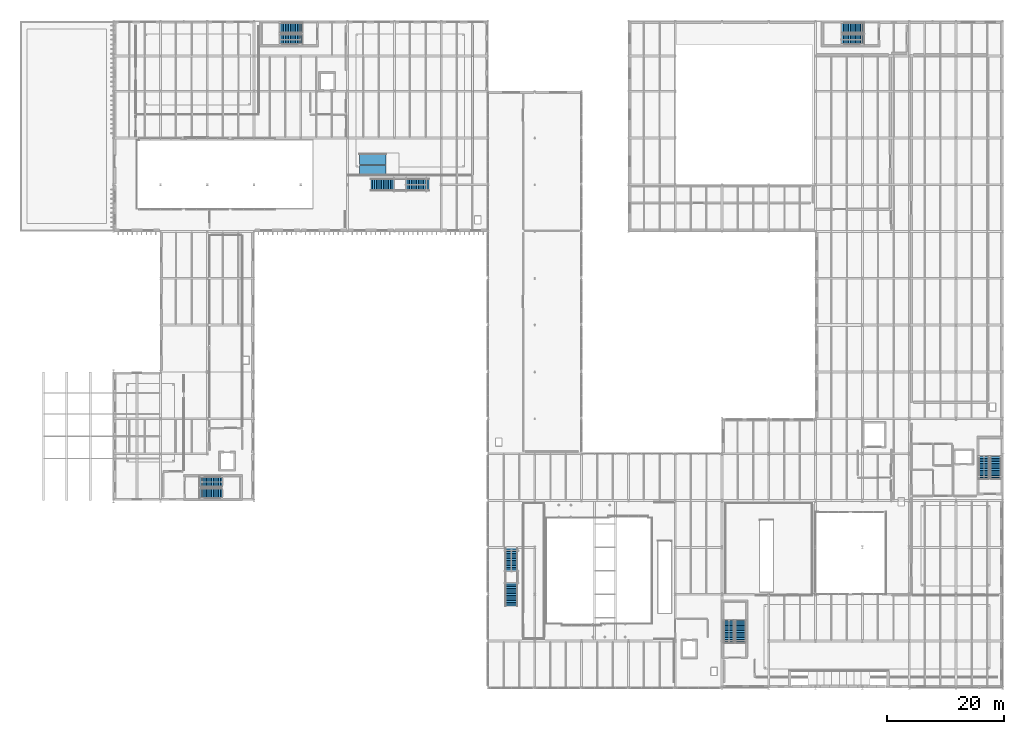
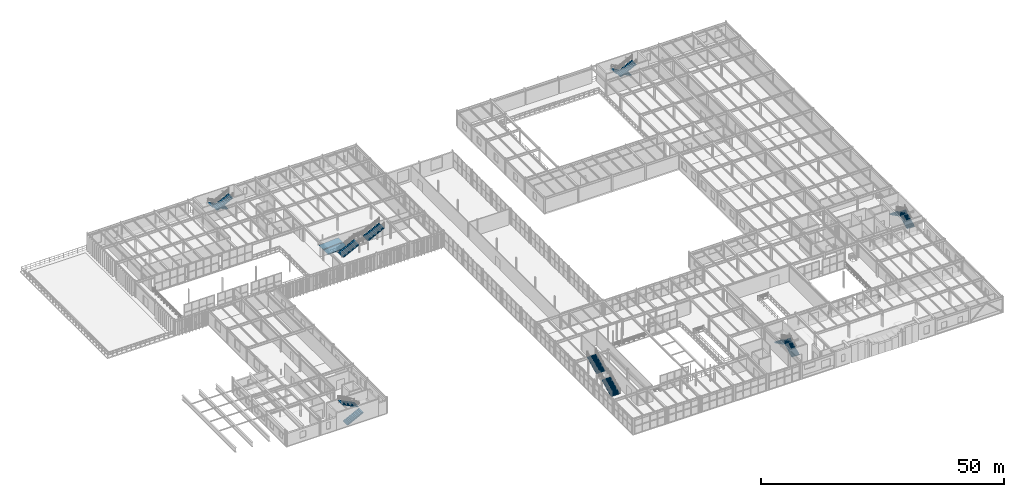
# One storey, part 92 of 122: 14 stair flights, 2 ramp flights, 8 elements without a shape of their own.
"""IFC4 building model written with IfcOpenShell, lengths in metres."""

from ifc_helpers import new_model, si_unit, direction, frame, origin, place, context, subcontext, project, spatial, polyline, outline, extrude, material, layer, layer_set, type_object, element, aggregate, save


model = new_model("IFC4")

# Units and contexts
model_context = context("Model", 3, precision=1e-05, world=origin(), true_north=direction((0.0, 1.0)))
body_context = subcontext(model_context, "Body", "Model", "MODEL_VIEW")
ifc_project = project(units=[si_unit("LENGTHUNIT", "METRE"), si_unit("AREAUNIT", "SQUARE_METRE"), si_unit("VOLUMEUNIT", "CUBIC_METRE"), si_unit("PLANEANGLEUNIT", "RADIAN"), si_unit("MASSUNIT", "GRAM", prefix="KILO")], contexts=[model_context])

# Site, building, storey
site_placement = place(None, origin())
site = spatial("IfcSite", under=ifc_project, at=site_placement, CompositionType="ELEMENT")
building_placement = place(site_placement, origin())
building = spatial("IfcBuilding", under=site, at=building_placement, Name="Sundkrona Museum", CompositionType="ELEMENT")
storey_placement = place(building_placement, frame((0.0, 0.0, 5.39990234375)))
storey = spatial("IfcBuildingStorey", under=building, at=storey_placement, Name="L01", CompositionType="ELEMENT", Elevation=5.39990234375)

# Stair, stair flights
ifc_material_1 = material(Name="Concrete C35/45", Category="concrete")
stair_type_1 = type_object("IfcStairType", Name="ST-DL-420", PredefinedType="HALF_TURN_STAIR", material=ifc_material_1)
stair_1_placement = place(storey_placement, origin())
stair_1 = element("IfcStair", 1, at=stair_1_placement, inside=storey, type_object=stair_type_1, Name="L01 Protected Stair Core ST-1", PredefinedType="HALF_TURN_STAIR")
stair_flight_type_1 = type_object("IfcStairFlightType", Name="SF-180-210", PredefinedType="STRAIGHT", material=ifc_material_1)
stair_flight_1_placement = place(storey_placement, frame((166.800048828125, 35.699951171875, 0.0), z_axis=(0.0, 0.0, 1.0), x_axis=(0.0, 1.0, 0.0)))
stair_flight_1 = element("IfcStairFlight", 2, at=stair_flight_1_placement, type_object=stair_flight_type_1, Name="L01 Protected Stair Core ST-1 Flight 1", NumberOfRisers=14, NumberOfTreads=13, PredefinedType="STRAIGHT", RiserHeight=0.15, TreadLength=0.295, context=body_context, shape_type="SweptSolid", body=[
    extrude(outline(polyline([(0.0, 0.0), (0.0, 0.14990234375), (0.294921875, 0.14990234375), (0.294921875, 0.300048828125), (0.590087890625, 0.300048828125), (0.590087890625, 0.449951171875), (0.885009765625, 0.449951171875), (0.885009765625, 0.60009765625), (1.179931640625, 0.60009765625), (1.179931640625, 0.75), (1.47509765625, 0.75), (1.47509765625, 0.89990234375), (1.77001953125, 0.89990234375), (1.77001953125, 1.050048828125), (2.06494140625, 1.050048828125), (2.06494140625, 1.199951171875), (2.360107421875, 1.199951171875), (2.360107421875, 1.35009765625), (2.655029296875, 1.35009765625), (2.655029296875, 1.5), (2.949951171875, 1.5), (2.949951171875, 1.64990234375), (3.2451171875, 1.64990234375), (3.2451171875, 1.800048828125), (3.5400390625, 1.800048828125), (3.5400390625, 1.949951171875), (3.8349609375, 1.949951171875), (3.8349609375, 2.10009765625), (3.8349609375, 1.7705078125), (0.352783203125, 0.0), (0.0, 0.0)])), frame((0.0, 0.89990234375, 0.0), z_axis=(0.0, -1.0, 0.0), x_axis=(1.0, 0.0, 0.0)), (0.0, 0.0, 1.0), 1.800048828125),
])
stair_flight_2_placement = place(storey_placement, frame((164.800048828125, 39.534912109375, 2.10009765625), z_axis=(0.0, 0.0, 1.0), x_axis=(0.0, -1.0, 0.0)))
stair_flight_2 = element("IfcStairFlight", 3, at=stair_flight_2_placement, type_object=stair_flight_type_1, Name="L01 Protected Stair Core ST-1 Flight 2", NumberOfRisers=14, NumberOfTreads=13, PredefinedType="STRAIGHT", RiserHeight=0.15, TreadLength=0.295, context=body_context, shape_type="SweptSolid", body=[
    extrude(outline(polyline([(0.0, 0.0), (0.0, 0.14990234375), (0.294921875, 0.14990234375), (0.294921875, 0.300048828125), (0.590087890625, 0.300048828125), (0.590087890625, 0.449951171875), (0.885009765625, 0.449951171875), (0.885009765625, 0.60009765625), (1.179931640625, 0.60009765625), (1.179931640625, 0.75), (1.47509765625, 0.75), (1.47509765625, 0.89990234375), (1.77001953125, 0.89990234375), (1.77001953125, 1.050048828125), (2.06494140625, 1.050048828125), (2.06494140625, 1.199951171875), (2.360107421875, 1.199951171875), (2.360107421875, 1.35009765625), (2.655029296875, 1.35009765625), (2.655029296875, 1.5), (2.949951171875, 1.5), (2.949951171875, 1.64990234375), (3.2451171875, 1.64990234375), (3.2451171875, 1.800048828125), (3.5400390625, 1.800048828125), (3.5400390625, 1.949951171875), (3.8349609375, 1.949951171875), (3.8349609375, 2.10009765625), (3.8349609375, 1.7705078125), (0.352783203125, 0.0), (0.0, 0.0)])), frame((0.0, 0.89990234375, 0.0), z_axis=(0.0, -1.0, 0.0), x_axis=(1.0, 0.0, 0.0)), (0.0, 0.0, 1.0), 1.800048828125),
])
aggregate(stair_1, [stair_flight_1, stair_flight_2])

stair_2_placement = place(storey_placement, origin())
stair_2 = element("IfcStair", 4, at=stair_2_placement, inside=storey, type_object=stair_type_1, Name="L01 Protected Stair Core ST-2", PredefinedType="HALF_TURN_STAIR")
stair_flight_3_placement = place(storey_placement, frame((123.199951171875, 7.699951171875, 0.0), z_axis=(0.0, 0.0, 1.0), x_axis=(0.0, 1.0, 0.0)))
stair_flight_3 = element("IfcStairFlight", 5, at=stair_flight_3_placement, type_object=stair_flight_type_1, Name="L01 Protected Stair Core ST-2 Flight 1", NumberOfRisers=14, NumberOfTreads=13, PredefinedType="STRAIGHT", RiserHeight=0.15, TreadLength=0.295, context=body_context, shape_type="SweptSolid", body=[
    extrude(outline(polyline([(0.0, 0.0), (0.0, 0.14990234375), (0.294921875, 0.14990234375), (0.294921875, 0.300048828125), (0.590087890625, 0.300048828125), (0.590087890625, 0.449951171875), (0.885009765625, 0.449951171875), (0.885009765625, 0.60009765625), (1.179931640625, 0.60009765625), (1.179931640625, 0.75), (1.47509765625, 0.75), (1.47509765625, 0.89990234375), (1.77001953125, 0.89990234375), (1.77001953125, 1.050048828125), (2.06494140625, 1.050048828125), (2.06494140625, 1.199951171875), (2.360107421875, 1.199951171875), (2.360107421875, 1.35009765625), (2.655029296875, 1.35009765625), (2.655029296875, 1.5), (2.949951171875, 1.5), (2.949951171875, 1.64990234375), (3.2451171875, 1.64990234375), (3.2451171875, 1.800048828125), (3.5400390625, 1.800048828125), (3.5400390625, 1.949951171875), (3.8349609375, 1.949951171875), (3.8349609375, 2.10009765625), (3.8349609375, 1.7705078125), (0.352783203125, 0.0), (0.0, 0.0)])), frame((0.0, 0.89990234375, 0.0), z_axis=(0.0, -1.0, 0.0), x_axis=(1.0, 0.0, 0.0)), (0.0, 0.0, 1.0), 1.800048828125),
])
stair_flight_4_placement = place(storey_placement, frame((121.199951171875, 11.534912109375, 2.10009765625), z_axis=(0.0, 0.0, 1.0), x_axis=(0.0, -1.0, 0.0)))
stair_flight_4 = element("IfcStairFlight", 6, at=stair_flight_4_placement, type_object=stair_flight_type_1, Name="L01 Protected Stair Core ST-2 Flight 2", NumberOfRisers=14, NumberOfTreads=13, PredefinedType="STRAIGHT", RiserHeight=0.15, TreadLength=0.295, context=body_context, shape_type="SweptSolid", body=[
    extrude(outline(polyline([(0.0, 0.0), (0.0, 0.14990234375), (0.294921875, 0.14990234375), (0.294921875, 0.300048828125), (0.590087890625, 0.300048828125), (0.590087890625, 0.449951171875), (0.885009765625, 0.449951171875), (0.885009765625, 0.60009765625), (1.179931640625, 0.60009765625), (1.179931640625, 0.75), (1.47509765625, 0.75), (1.47509765625, 0.89990234375), (1.77001953125, 0.89990234375), (1.77001953125, 1.050048828125), (2.06494140625, 1.050048828125), (2.06494140625, 1.199951171875), (2.360107421875, 1.199951171875), (2.360107421875, 1.35009765625), (2.655029296875, 1.35009765625), (2.655029296875, 1.5), (2.949951171875, 1.5), (2.949951171875, 1.64990234375), (3.2451171875, 1.64990234375), (3.2451171875, 1.800048828125), (3.5400390625, 1.800048828125), (3.5400390625, 1.949951171875), (3.8349609375, 1.949951171875), (3.8349609375, 2.10009765625), (3.8349609375, 1.7705078125), (0.352783203125, 0.0), (0.0, 0.0)])), frame((0.0, 0.89990234375, 0.0), z_axis=(0.0, -1.0, 0.0), x_axis=(1.0, 0.0, 0.0)), (0.0, 0.0, 1.0), 1.800048828125),
])
aggregate(stair_2, [stair_flight_3, stair_flight_4])

stair_3_placement = place(storey_placement, origin())
stair_3 = element("IfcStair", 7, at=stair_3_placement, inside=storey, type_object=stair_type_1, Name="L01 Protected Stair Core ST-3", PredefinedType="HALF_TURN_STAIR")
stair_flight_5_placement = place(storey_placement, frame((48.300048828125, 112.800048828125, 0.0), z_axis=(0.0, 0.0, 1.0), x_axis=(-1.0, 0.0, 0.0)))
stair_flight_5 = element("IfcStairFlight", 8, at=stair_flight_5_placement, type_object=stair_flight_type_1, Name="L01 Protected Stair Core ST-3 Flight 1", NumberOfRisers=14, NumberOfTreads=13, PredefinedType="STRAIGHT", RiserHeight=0.15, TreadLength=0.295, context=body_context, shape_type="SweptSolid", body=[
    extrude(outline(polyline([(0.0, 0.0), (0.0, 0.14990234375), (0.294921875, 0.14990234375), (0.294921875, 0.300048828125), (0.590087890625, 0.300048828125), (0.590087890625, 0.449951171875), (0.885009765625, 0.449951171875), (0.885009765625, 0.60009765625), (1.179931640625, 0.60009765625), (1.179931640625, 0.75), (1.47509765625, 0.75), (1.47509765625, 0.89990234375), (1.77001953125, 0.89990234375), (1.77001953125, 1.050048828125), (2.06494140625, 1.050048828125), (2.06494140625, 1.199951171875), (2.360107421875, 1.199951171875), (2.360107421875, 1.35009765625), (2.655029296875, 1.35009765625), (2.655029296875, 1.5), (2.949951171875, 1.5), (2.949951171875, 1.64990234375), (3.2451171875, 1.64990234375), (3.2451171875, 1.800048828125), (3.5400390625, 1.800048828125), (3.5400390625, 1.949951171875), (3.8349609375, 1.949951171875), (3.8349609375, 2.10009765625), (3.8349609375, 1.7705078125), (0.352783203125, 0.0), (0.0, 0.0)])), frame((0.0, 0.89990234375, 0.0), z_axis=(0.0, -1.0, 0.0), x_axis=(1.0, 0.0, 0.0)), (0.0, 0.0, 1.0), 1.800048828125),
])
stair_flight_6_placement = place(storey_placement, frame((44.465087890625, 110.800048828125, 2.10009765625), z_axis=(0.0, 0.0, 1.0), x_axis=(1.0, 0.0, 0.0)))
stair_flight_6 = element("IfcStairFlight", 9, at=stair_flight_6_placement, type_object=stair_flight_type_1, Name="L01 Protected Stair Core ST-3 Flight 2", NumberOfRisers=14, NumberOfTreads=13, PredefinedType="STRAIGHT", RiserHeight=0.15, TreadLength=0.295, context=body_context, shape_type="SweptSolid", body=[
    extrude(outline(polyline([(0.0, 0.0), (0.0, 0.14990234375), (0.294921875, 0.14990234375), (0.294921875, 0.300048828125), (0.590087890625, 0.300048828125), (0.590087890625, 0.449951171875), (0.885009765625, 0.449951171875), (0.885009765625, 0.60009765625), (1.179931640625, 0.60009765625), (1.179931640625, 0.75), (1.47509765625, 0.75), (1.47509765625, 0.89990234375), (1.77001953125, 0.89990234375), (1.77001953125, 1.050048828125), (2.06494140625, 1.050048828125), (2.06494140625, 1.199951171875), (2.360107421875, 1.199951171875), (2.360107421875, 1.35009765625), (2.655029296875, 1.35009765625), (2.655029296875, 1.5), (2.949951171875, 1.5), (2.949951171875, 1.64990234375), (3.2451171875, 1.64990234375), (3.2451171875, 1.800048828125), (3.5400390625, 1.800048828125), (3.5400390625, 1.949951171875), (3.8349609375, 1.949951171875), (3.8349609375, 2.10009765625), (3.8349609375, 1.7705078125), (0.352783203125, 0.0), (0.0, 0.0)])), frame((0.0, 0.89990234375, 0.0), z_axis=(0.0, -1.0, 0.0), x_axis=(1.0, 0.0, 0.0)), (0.0, 0.0, 1.0), 1.800048828125),
])
aggregate(stair_3, [stair_flight_5, stair_flight_6])

stair_4_placement = place(storey_placement, origin())
stair_4 = element("IfcStair", 10, at=stair_4_placement, inside=storey, type_object=stair_type_1, Name="L01 Protected Stair Core ST-4", PredefinedType="HALF_TURN_STAIR")
stair_flight_7_placement = place(storey_placement, frame((30.699951171875, 33.199951171875, 0.0), z_axis=(0.0, 0.0, 1.0), x_axis=(1.0, 0.0, 0.0)))
stair_flight_7 = element("IfcStairFlight", 11, at=stair_flight_7_placement, type_object=stair_flight_type_1, Name="L01 Protected Stair Core ST-4 Flight 1", NumberOfRisers=14, NumberOfTreads=13, PredefinedType="STRAIGHT", RiserHeight=0.15, TreadLength=0.295, context=body_context, shape_type="SweptSolid", body=[
    extrude(outline(polyline([(0.0, 0.0), (0.0, 0.14990234375), (0.294921875, 0.14990234375), (0.294921875, 0.300048828125), (0.590087890625, 0.300048828125), (0.590087890625, 0.449951171875), (0.885009765625, 0.449951171875), (0.885009765625, 0.60009765625), (1.179931640625, 0.60009765625), (1.179931640625, 0.75), (1.47509765625, 0.75), (1.47509765625, 0.89990234375), (1.77001953125, 0.89990234375), (1.77001953125, 1.050048828125), (2.06494140625, 1.050048828125), (2.06494140625, 1.199951171875), (2.360107421875, 1.199951171875), (2.360107421875, 1.35009765625), (2.655029296875, 1.35009765625), (2.655029296875, 1.5), (2.949951171875, 1.5), (2.949951171875, 1.64990234375), (3.2451171875, 1.64990234375), (3.2451171875, 1.800048828125), (3.5400390625, 1.800048828125), (3.5400390625, 1.949951171875), (3.8349609375, 1.949951171875), (3.8349609375, 2.10009765625), (3.8349609375, 1.7705078125), (0.352783203125, 0.0), (0.0, 0.0)])), frame((0.0, 0.89990234375, 0.0), z_axis=(0.0, -1.0, 0.0), x_axis=(1.0, 0.0, 0.0)), (0.0, 0.0, 1.0), 1.800048828125),
])
stair_flight_8_placement = place(storey_placement, frame((34.534912109375, 35.199951171875, 2.10009765625), z_axis=(0.0, 0.0, 1.0), x_axis=(-1.0, 0.0, 0.0)))
stair_flight_8 = element("IfcStairFlight", 12, at=stair_flight_8_placement, type_object=stair_flight_type_1, Name="L01 Protected Stair Core ST-4 Flight 2", NumberOfRisers=14, NumberOfTreads=13, PredefinedType="STRAIGHT", RiserHeight=0.15, TreadLength=0.295, context=body_context, shape_type="SweptSolid", body=[
    extrude(outline(polyline([(0.0, 0.0), (0.0, 0.14990234375), (0.294921875, 0.14990234375), (0.294921875, 0.300048828125), (0.590087890625, 0.300048828125), (0.590087890625, 0.449951171875), (0.885009765625, 0.449951171875), (0.885009765625, 0.60009765625), (1.179931640625, 0.60009765625), (1.179931640625, 0.75), (1.47509765625, 0.75), (1.47509765625, 0.89990234375), (1.77001953125, 0.89990234375), (1.77001953125, 1.050048828125), (2.06494140625, 1.050048828125), (2.06494140625, 1.199951171875), (2.360107421875, 1.199951171875), (2.360107421875, 1.35009765625), (2.655029296875, 1.35009765625), (2.655029296875, 1.5), (2.949951171875, 1.5), (2.949951171875, 1.64990234375), (3.2451171875, 1.64990234375), (3.2451171875, 1.800048828125), (3.5400390625, 1.800048828125), (3.5400390625, 1.949951171875), (3.8349609375, 1.949951171875), (3.8349609375, 2.10009765625), (3.8349609375, 1.7705078125), (0.352783203125, 0.0), (0.0, 0.0)])), frame((0.0, 0.89990234375, 0.0), z_axis=(0.0, -1.0, 0.0), x_axis=(1.0, 0.0, 0.0)), (0.0, 0.0, 1.0), 1.800048828125),
])
aggregate(stair_4, [stair_flight_7, stair_flight_8])

stair_5_placement = place(storey_placement, origin())
stair_5 = element("IfcStair", 13, at=stair_5_placement, inside=storey, type_object=stair_type_1, Name="L01 Protected Stair Core ST-5", PredefinedType="HALF_TURN_STAIR")
stair_flight_9_placement = place(storey_placement, frame((144.300048828125, 112.800048828125, 0.0), z_axis=(0.0, 0.0, 1.0), x_axis=(-1.0, 0.0, 0.0)))
stair_flight_9 = element("IfcStairFlight", 14, at=stair_flight_9_placement, type_object=stair_flight_type_1, Name="L01 Protected Stair Core ST-5 Flight 1", NumberOfRisers=14, NumberOfTreads=13, PredefinedType="STRAIGHT", RiserHeight=0.15, TreadLength=0.295, context=body_context, shape_type="SweptSolid", body=[
    extrude(outline(polyline([(0.0, 0.0), (0.0, 0.14990234375), (0.294921875, 0.14990234375), (0.294921875, 0.300048828125), (0.590087890625, 0.300048828125), (0.590087890625, 0.449951171875), (0.885009765625, 0.449951171875), (0.885009765625, 0.60009765625), (1.179931640625, 0.60009765625), (1.179931640625, 0.75), (1.47509765625, 0.75), (1.47509765625, 0.89990234375), (1.77001953125, 0.89990234375), (1.77001953125, 1.050048828125), (2.06494140625, 1.050048828125), (2.06494140625, 1.199951171875), (2.360107421875, 1.199951171875), (2.360107421875, 1.35009765625), (2.655029296875, 1.35009765625), (2.655029296875, 1.5), (2.949951171875, 1.5), (2.949951171875, 1.64990234375), (3.2451171875, 1.64990234375), (3.2451171875, 1.800048828125), (3.5400390625, 1.800048828125), (3.5400390625, 1.949951171875), (3.8349609375, 1.949951171875), (3.8349609375, 2.10009765625), (3.8349609375, 1.7705078125), (0.352783203125, 0.0), (0.0, 0.0)])), frame((0.0, 0.89990234375, 0.0), z_axis=(0.0, -1.0, 0.0), x_axis=(1.0, 0.0, 0.0)), (0.0, 0.0, 1.0), 1.800048828125),
])
stair_flight_10_placement = place(storey_placement, frame((140.465087890625, 110.800048828125, 2.10009765625), z_axis=(0.0, 0.0, 1.0), x_axis=(1.0, 0.0, 0.0)))
stair_flight_10 = element("IfcStairFlight", 15, at=stair_flight_10_placement, type_object=stair_flight_type_1, Name="L01 Protected Stair Core ST-5 Flight 2", NumberOfRisers=14, NumberOfTreads=13, PredefinedType="STRAIGHT", RiserHeight=0.15, TreadLength=0.295, context=body_context, shape_type="SweptSolid", body=[
    extrude(outline(polyline([(0.0, 0.0), (0.0, 0.14990234375), (0.294921875, 0.14990234375), (0.294921875, 0.300048828125), (0.590087890625, 0.300048828125), (0.590087890625, 0.449951171875), (0.885009765625, 0.449951171875), (0.885009765625, 0.60009765625), (1.179931640625, 0.60009765625), (1.179931640625, 0.75), (1.47509765625, 0.75), (1.47509765625, 0.89990234375), (1.77001953125, 0.89990234375), (1.77001953125, 1.050048828125), (2.06494140625, 1.050048828125), (2.06494140625, 1.199951171875), (2.360107421875, 1.199951171875), (2.360107421875, 1.35009765625), (2.655029296875, 1.35009765625), (2.655029296875, 1.5), (2.949951171875, 1.5), (2.949951171875, 1.64990234375), (3.2451171875, 1.64990234375), (3.2451171875, 1.800048828125), (3.5400390625, 1.800048828125), (3.5400390625, 1.949951171875), (3.8349609375, 1.949951171875), (3.8349609375, 2.10009765625), (3.8349609375, 1.7705078125), (0.352783203125, 0.0), (0.0, 0.0)])), frame((0.0, 0.89990234375, 0.0), z_axis=(0.0, -1.0, 0.0), x_axis=(1.0, 0.0, 0.0)), (0.0, 0.0, 1.0), 1.800048828125),
])
aggregate(stair_5, [stair_flight_9, stair_flight_10])

ifc_material_2 = material(Name="Steel S355J2 and Terrazzo Treads", Category="steel")
stair_type_2 = type_object("IfcStairType", Name="ST-FS-420", PredefinedType="STRAIGHT_RUN_STAIR", material=ifc_material_2)
stair_6_placement = place(storey_placement, origin())
stair_6 = element("IfcStair", 16, at=stair_6_placement, inside=storey, type_object=stair_type_2, Name="L01 Feature Stair FS-2", PredefinedType="STRAIGHT_RUN_STAIR")
ifc_material_3 = material(Name="Steel S355J2 and Terrazzo", Category="steel")
stair_flight_type_2 = type_object("IfcStairFlightType", Name="SF-210-FS", PredefinedType="STRAIGHT", material=ifc_material_3)
stair_flight_11_placement = place(storey_placement, frame((84.0, 14.0, 0.0), z_axis=(0.0, 0.0, 1.0), x_axis=(0.0, 1.0, 0.0)))
stair_flight_11 = element("IfcStairFlight", 17, at=stair_flight_11_placement, type_object=stair_flight_type_2, Name="L01 Feature Stair FS-2 Flight 1", NumberOfRisers=14, NumberOfTreads=13, PredefinedType="STRAIGHT", RiserHeight=0.15, TreadLength=0.3, context=body_context, shape_type="SweptSolid", body=[
    extrude(outline(polyline([(0.0, 0.0), (0.0, 0.14990234375), (0.300048828125, 0.14990234375), (0.300048828125, 0.300048828125), (0.60009765625, 0.300048828125), (0.60009765625, 0.449951171875), (0.89990234375, 0.449951171875), (0.89990234375, 0.60009765625), (1.199951171875, 0.60009765625), (1.199951171875, 0.75), (1.5, 0.75), (1.5, 0.89990234375), (1.800048828125, 0.89990234375), (1.800048828125, 1.050048828125), (2.10009765625, 1.050048828125), (2.10009765625, 1.199951171875), (2.39990234375, 1.199951171875), (2.39990234375, 1.35009765625), (2.699951171875, 1.35009765625), (2.699951171875, 1.5), (3.0, 1.5), (3.0, 1.64990234375), (3.300048828125, 1.64990234375), (3.300048828125, 1.800048828125), (3.60009765625, 1.800048828125), (3.60009765625, 1.949951171875), (3.89990234375, 1.949951171875), (3.89990234375, 2.10009765625), (3.89990234375, 1.748779296875), (0.40234375, 0.0), (0.0, 0.0)])), frame((0.0, 1.050048828125, 0.0), z_axis=(0.0, -1.0, 0.0), x_axis=(1.0, 0.0, 0.0)), (0.0, 0.0, 1.0), 2.10009765625),
])
stair_flight_12_placement = place(storey_placement, frame((84.0, 20.0, 2.10009765625), z_axis=(0.0, 0.0, 1.0), x_axis=(0.0, 1.0, 0.0)))
stair_flight_12 = element("IfcStairFlight", 18, at=stair_flight_12_placement, type_object=stair_flight_type_2, Name="L01 Feature Stair FS-2 Flight 2", NumberOfRisers=14, NumberOfTreads=13, PredefinedType="STRAIGHT", RiserHeight=0.15, TreadLength=0.3, context=body_context, shape_type="SweptSolid", body=[
    extrude(outline(polyline([(0.0, 0.0), (0.0, 0.14990234375), (0.300048828125, 0.14990234375), (0.300048828125, 0.300048828125), (0.60009765625, 0.300048828125), (0.60009765625, 0.449951171875), (0.89990234375, 0.449951171875), (0.89990234375, 0.60009765625), (1.199951171875, 0.60009765625), (1.199951171875, 0.75), (1.5, 0.75), (1.5, 0.89990234375), (1.800048828125, 0.89990234375), (1.800048828125, 1.050048828125), (2.10009765625, 1.050048828125), (2.10009765625, 1.199951171875), (2.39990234375, 1.199951171875), (2.39990234375, 1.35009765625), (2.699951171875, 1.35009765625), (2.699951171875, 1.5), (3.0, 1.5), (3.0, 1.64990234375), (3.300048828125, 1.64990234375), (3.300048828125, 1.800048828125), (3.60009765625, 1.800048828125), (3.60009765625, 1.949951171875), (3.89990234375, 1.949951171875), (3.89990234375, 2.10009765625), (3.89990234375, 1.748779296875), (0.40234375, 0.0), (0.0, 0.0)])), frame((0.0, 1.050048828125, 0.0), z_axis=(0.0, -1.0, 0.0), x_axis=(1.0, 0.0, 0.0)), (0.0, 0.0, 1.0), 2.10009765625),
])
aggregate(stair_6, [stair_flight_11, stair_flight_12])

stair_7_placement = place(storey_placement, origin())
stair_7 = element("IfcStair", 19, at=stair_7_placement, inside=storey, type_object=stair_type_2, Name="L01 Feature Stair FS-6", PredefinedType="STRAIGHT_RUN_STAIR")
stair_flight_13_placement = place(storey_placement, frame((60.0, 86.0, 0.0), z_axis=(0.0, 0.0, 1.0), x_axis=(1.0, 0.0, 0.0)))
stair_flight_13 = element("IfcStairFlight", 20, at=stair_flight_13_placement, type_object=stair_flight_type_2, Name="L01 Feature Stair FS-6 Flight 1", NumberOfRisers=14, NumberOfTreads=13, PredefinedType="STRAIGHT", RiserHeight=0.15, TreadLength=0.3, context=body_context, shape_type="SweptSolid", body=[
    extrude(outline(polyline([(0.0, 0.0), (0.0, 0.14990234375), (0.300048828125, 0.14990234375), (0.300048828125, 0.300048828125), (0.60009765625, 0.300048828125), (0.60009765625, 0.449951171875), (0.89990234375, 0.449951171875), (0.89990234375, 0.60009765625), (1.199951171875, 0.60009765625), (1.199951171875, 0.75), (1.5, 0.75), (1.5, 0.89990234375), (1.800048828125, 0.89990234375), (1.800048828125, 1.050048828125), (2.10009765625, 1.050048828125), (2.10009765625, 1.199951171875), (2.39990234375, 1.199951171875), (2.39990234375, 1.35009765625), (2.699951171875, 1.35009765625), (2.699951171875, 1.5), (3.0, 1.5), (3.0, 1.64990234375), (3.300048828125, 1.64990234375), (3.300048828125, 1.800048828125), (3.60009765625, 1.800048828125), (3.60009765625, 1.949951171875), (3.89990234375, 1.949951171875), (3.89990234375, 2.10009765625), (3.89990234375, 1.748779296875), (0.40234375, 0.0), (0.0, 0.0)])), frame((0.0, 1.050048828125, 0.0), z_axis=(0.0, -1.0, 0.0), x_axis=(1.0, 0.0, 0.0)), (0.0, 0.0, 1.0), 2.10009765625),
])
stair_flight_14_placement = place(storey_placement, frame((66.0, 86.0, 2.10009765625), z_axis=(0.0, 0.0, 1.0), x_axis=(1.0, 0.0, 0.0)))
stair_flight_14 = element("IfcStairFlight", 21, at=stair_flight_14_placement, type_object=stair_flight_type_2, Name="L01 Feature Stair FS-6 Flight 2", NumberOfRisers=14, NumberOfTreads=13, PredefinedType="STRAIGHT", RiserHeight=0.15, TreadLength=0.3, context=body_context, shape_type="SweptSolid", body=[
    extrude(outline(polyline([(0.0, 0.0), (0.0, 0.14990234375), (0.300048828125, 0.14990234375), (0.300048828125, 0.300048828125), (0.60009765625, 0.300048828125), (0.60009765625, 0.449951171875), (0.89990234375, 0.449951171875), (0.89990234375, 0.60009765625), (1.199951171875, 0.60009765625), (1.199951171875, 0.75), (1.5, 0.75), (1.5, 0.89990234375), (1.800048828125, 0.89990234375), (1.800048828125, 1.050048828125), (2.10009765625, 1.050048828125), (2.10009765625, 1.199951171875), (2.39990234375, 1.199951171875), (2.39990234375, 1.35009765625), (2.699951171875, 1.35009765625), (2.699951171875, 1.5), (3.0, 1.5), (3.0, 1.64990234375), (3.300048828125, 1.64990234375), (3.300048828125, 1.800048828125), (3.60009765625, 1.800048828125), (3.60009765625, 1.949951171875), (3.89990234375, 1.949951171875), (3.89990234375, 2.10009765625), (3.89990234375, 1.748779296875), (0.40234375, 0.0), (0.0, 0.0)])), frame((0.0, 1.050048828125, 0.0), z_axis=(0.0, -1.0, 0.0), x_axis=(1.0, 0.0, 0.0)), (0.0, 0.0, 1.0), 2.10009765625),
])
aggregate(stair_7, [stair_flight_13, stair_flight_14])

# Ramp, ramp flights
ramp_type = type_object("IfcRampType", Name="RMP-ACC-180", PredefinedType="HALF_TURN_RAMP", material=ifc_material_1)
ramp_placement = place(storey_placement, origin())
ramp = element("IfcRamp", 22, at=ramp_placement, inside=storey, type_object=ramp_type, Name="L01 Accessible Gallery Dais Ramp RMP-04", PredefinedType="HALF_TURN_RAMP")
ifc_layer = layer(ifc_material_1, 0.199951171875)
ifc_layer_set = layer_set([ifc_layer], Name="Concrete C35/45")
ramp_flight_type = type_object("IfcRampFlightType", Name="RMF-ACC-180", PredefinedType="STRAIGHT", material=ifc_layer_set)
ramp_flight_1_placement = place(storey_placement, frame((58.0, 88.39990234375, 0.01513671875), z_axis=(0.0, 0.0, 1.0), x_axis=(1.0, 0.0, 0.0)))
ramp_flight_1 = element("IfcRampFlight", 23, at=ramp_flight_1_placement, type_object=ramp_flight_type, Name="RMP-04 Up Flight", PredefinedType="STRAIGHT", context=body_context, shape_type="SweptSolid", body=[
    extrude(outline(polyline([(0.0, -0.199951171875), (4.60009765625, 0.06494140625), (4.60009765625, 0.264892578125), (0.0, 0.0), (0.0, -0.199951171875)])), frame((0.0, 0.89990234375, 0.0), z_axis=(0.0, -1.0, 0.0), x_axis=(1.0, 0.0, 0.0)), (0.0, 0.0, 1.0), 1.800048828125),
])
ramp_flight_2_placement = place(storey_placement, frame((62.60009765625, 90.39990234375, 0.280029296875), z_axis=(0.0, 0.0, 1.0), x_axis=(-1.0, 0.0, 0.0)))
ramp_flight_2 = element("IfcRampFlight", 24, at=ramp_flight_2_placement, type_object=ramp_flight_type, Name="RMP-04 Return Flight", PredefinedType="STRAIGHT", context=body_context, shape_type="SweptSolid", body=[
    extrude(outline(polyline([(0.0, -0.199951171875), (4.60009765625, -0.46484375), (4.60009765625, -0.264892578125), (0.0, 0.0), (0.0, -0.199951171875)])), frame((0.0, 0.89990234375, 0.0), z_axis=(0.0, -1.0, 0.0), x_axis=(1.0, 0.0, 0.0)), (0.0, 0.0, 1.0), 1.800048828125),
])
aggregate(ramp, [ramp_flight_1, ramp_flight_2])

save(model, "model.ifc")
